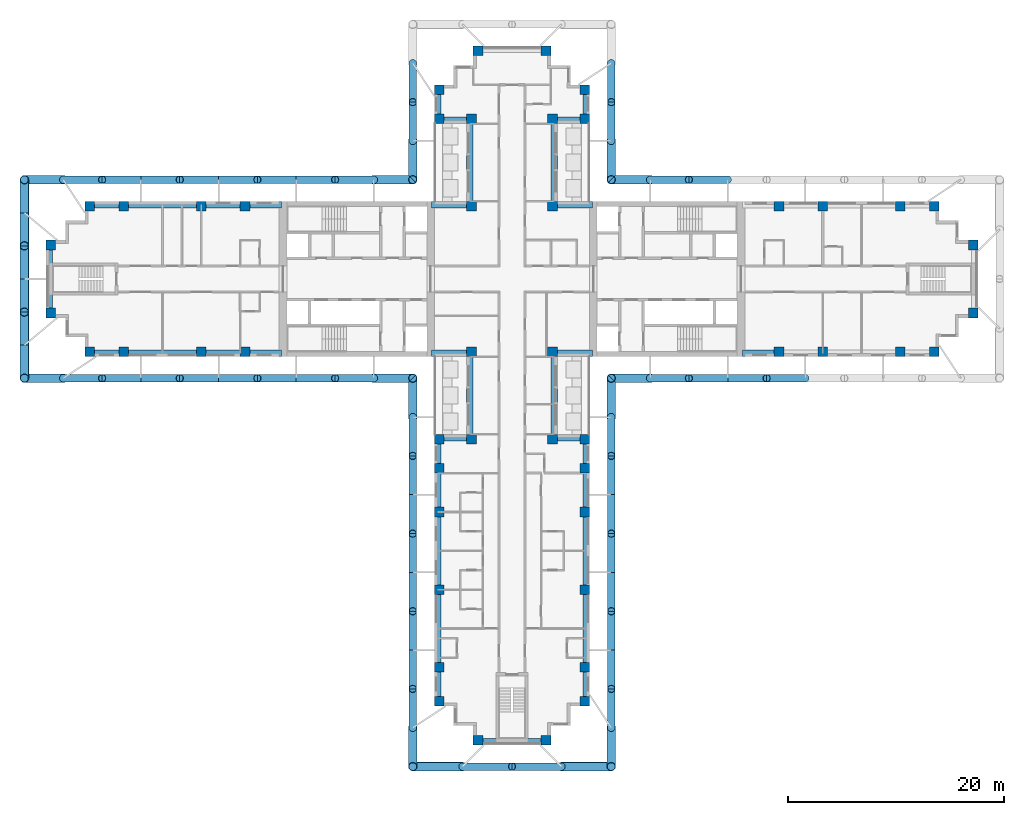
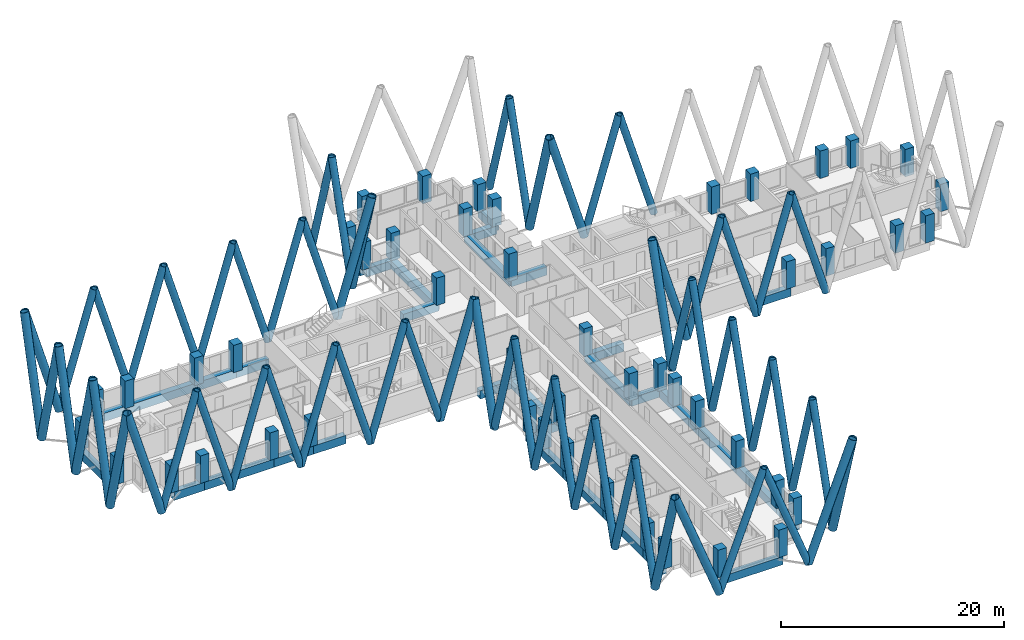
# One storey, part 1 of 14: 64 members, 48 columns, 35 beams.
"""IFC4 building model written with IfcOpenShell, lengths in metres."""

from ifc_helpers import new_model, si_unit, direction, frame, origin, origin_2d, place, context, subcontext, project, spatial, rectangle, hollow_circle, extrude, material, material_profile, profile_set, type_object, element, save


model = new_model("IFC4")

# Units and contexts
model_context = context("Model", 3, precision=1e-05, world=origin(), true_north=direction((0.0, 1.0)))
body_context = subcontext(model_context, "Body", "Model", "MODEL_VIEW")
ifc_project = project(units=[si_unit("LENGTHUNIT", "METRE"), si_unit("AREAUNIT", "SQUARE_METRE"), si_unit("VOLUMEUNIT", "CUBIC_METRE"), si_unit("PLANEANGLEUNIT", "RADIAN"), si_unit("MASSUNIT", "GRAM", prefix="KILO")], contexts=[model_context])

# Site, building, storey
site_placement = place(None, origin())
site = spatial("IfcSite", under=ifc_project, at=site_placement, CompositionType="ELEMENT")
building_placement = place(site_placement, origin())
building = spatial("IfcBuilding", under=site, at=building_placement, Name="Fustian Cross Tower", CompositionType="ELEMENT")
storey_placement = place(building_placement, frame((0.0, 0.0, 90.89990234375)))
storey = spatial("IfcBuildingStorey", under=building, at=storey_placement, Name="L28", CompositionType="ELEMENT", Elevation=90.89990234375)

# Columns
ifc_material_1 = material(Name="Concrete C60/75", Category="concrete")
ifc_material_profile_1 = material_profile(ifc_material_1, rectangle(XDim=0.89990234375, YDim=0.89990234375, at=origin_2d()), Name="RC 900x900")
ifc_profile_set_1 = profile_set([ifc_material_profile_1], Name="Concrete C60/75")
column_type = type_object("IfcColumnType", Name="COLUMN RC 900x900 C60/75", PredefinedType="COLUMN", material=ifc_profile_set_1)
for number, where, z_axis, x_axis, name in (
    (1, (-42.75, -3.14990234375, 0.0), (0.0, 0.0, 1.0), (1.0, 0.0, 0.0), "COLUMN 001"),
    (2, (-42.75, 3.14990234375, 0.0), (0.0, 0.0, 1.0), (1.0, 0.0, 0.0), "COLUMN 002"),
    (3, (-39.14990234375, -6.75, 0.0), (0.0, 0.0, 1.0), (1.0, 0.0, 0.0), "COLUMN 003"),
    (4, (-39.14990234375, 6.75, 0.0), (0.0, 0.0, 1.0), (1.0, 0.0, 0.0), "COLUMN 004"),
    (5, (-36.0, -6.75, 0.0), (0.0, 0.0, 1.0), (1.0, 0.0, 0.0), "COLUMN 005"),
    (6, (-36.0, 6.75, 0.0), (0.0, 0.0, 1.0), (1.0, 0.0, 0.0), "COLUMN 006"),
    (7, (-28.800048828125, -6.75, 0.0), (0.0, 0.0, 1.0), (1.0, 0.0, 0.0), "COLUMN 007"),
    (8, (-28.800048828125, 6.75, 0.0), (0.0, 0.0, 1.0), (1.0, 0.0, 0.0), "COLUMN 010"),
    (9, (-24.75, -6.75, 0.0), (0.0, 0.0, 1.0), (1.0, 0.0, 0.0), "COLUMN 011"),
    (10, (-24.75, 6.75, 0.0), (0.0, 0.0, 1.0), (1.0, 0.0, 0.0), "COLUMN 012"),
    (11, (-6.75, -39.14990234375, 0.0), (0.0, 0.0, 1.0), (1.0, 0.0, 0.0), "COLUMN 013"),
    (12, (-6.75, -36.0, 0.0), (0.0, 0.0, 1.0), (1.0, 0.0, 0.0), "COLUMN 014"),
    (13, (-6.75, -28.800048828125, 0.0), (0.0, 0.0, 1.0), (1.0, 0.0, 0.0), "COLUMN 015"),
    (14, (-6.75, -21.60009765625, 0.0), (0.0, 0.0, 1.0), (1.0, 0.0, 0.0), "COLUMN 016"),
    (15, (-6.75, -17.550048828125, 0.0), (0.0, 0.0, 1.0), (1.0, 0.0, 0.0), "COLUMN 017"),
    (16, (-6.75, -14.85009765625, 0.0), (0.0, 0.0, 1.0), (1.0, 0.0, 0.0), "COLUMN 018"),
    (17, (-6.75, 14.85009765625, 0.0), (0.0, 0.0, 1.0), (1.0, 0.0, 0.0), "COLUMN 019"),
    (18, (-6.75, 17.550048828125, 0.0), (0.0, 0.0, 1.0), (1.0, 0.0, 0.0), "COLUMN 020"),
    (19, (-3.75, -14.85009765625, 0.0), (0.0, 0.0, 1.0), (1.0, 0.0, 0.0), "COLUMN 025"),
    (20, (-3.75, -6.75, 0.0), (0.0, 0.0, 1.0), (1.0, 0.0, 0.0), "COLUMN 026"),
    (21, (-3.75, 6.75, 0.0), (0.0, 0.0, 1.0), (1.0, 0.0, 0.0), "COLUMN 027"),
    (22, (-3.75, 14.85009765625, 0.0), (0.0, 0.0, 1.0), (1.0, 0.0, 0.0), "COLUMN 028"),
    (23, (-3.14990234375, -42.75, 0.0), (0.0, 0.0, 1.0), (1.0, 0.0, 0.0), "COLUMN 029"),
    (24, (-3.14990234375, 21.14990234375, 0.0), (0.0, 0.0, 1.0), (1.0, 0.0, 0.0), "COLUMN 031"),
    (25, (3.14990234375, -42.75, 0.0), (0.0, 0.0, 1.0), (1.0, 0.0, 0.0), "COLUMN 033"),
    (26, (3.14990234375, 21.14990234375, 0.0), (0.0, 0.0, 1.0), (1.0, 0.0, 0.0), "COLUMN 035"),
    (27, (3.75, -14.85009765625, 0.0), (0.0, 0.0, 1.0), (1.0, 0.0, 0.0), "COLUMN 037"),
    (28, (3.75, -6.75, 0.0), (0.0, 0.0, 1.0), (1.0, 0.0, 0.0), "COLUMN 038"),
    (29, (3.75, 6.75, 0.0), (0.0, 0.0, 1.0), (1.0, 0.0, 0.0), "COLUMN 039"),
    (30, (3.75, 14.85009765625, 0.0), (0.0, 0.0, 1.0), (1.0, 0.0, 0.0), "COLUMN 040"),
    (31, (6.75, -39.14990234375, 0.0), (0.0, 0.0, 1.0), (1.0, 0.0, 0.0), "COLUMN 041"),
    (32, (6.75, -36.0, 0.0), (0.0, 0.0, 1.0), (1.0, 0.0, 0.0), "COLUMN 042"),
    (33, (6.75, -28.800048828125, 0.0), (0.0, 0.0, 1.0), (1.0, 0.0, 0.0), "COLUMN 043"),
    (34, (6.75, -21.60009765625, 0.0), (0.0, 0.0, 1.0), (1.0, 0.0, 0.0), "COLUMN 044"),
    (35, (6.75, -17.550048828125, 0.0), (0.0, 0.0, 1.0), (1.0, 0.0, 0.0), "COLUMN 045"),
    (36, (6.75, -14.85009765625, 0.0), (0.0, 0.0, 1.0), (1.0, 0.0, 0.0), "COLUMN 046"),
    (37, (6.75, 14.85009765625, 0.0), (0.0, 0.0, 1.0), (1.0, 0.0, 0.0), "COLUMN 047"),
    (38, (6.75, 17.550048828125, 0.0), (0.0, 0.0, 1.0), (1.0, 0.0, 0.0), "COLUMN 048"),
    (39, (24.75, -6.75, 0.0), (0.0, 0.0, 1.0), (1.0, 0.0, 0.0), "COLUMN 053"),
    (40, (24.75, 6.75, 0.0), (0.0, 0.0, 1.0), (1.0, 0.0, 0.0), "COLUMN 054"),
    (41, (28.800048828125, -6.75, 0.0), (0.0, 0.0, 1.0), (1.0, 0.0, 0.0), "COLUMN 055"),
    (42, (28.800048828125, 6.75, 0.0), (0.0, 0.0, 1.0), (1.0, 0.0, 0.0), "COLUMN 058"),
    (43, (36.0, -6.75, 0.0), (0.0, 0.0, 1.0), (1.0, 0.0, 0.0), "COLUMN 059"),
    (44, (36.0, 6.75, 0.0), (0.0, 0.0, 1.0), (1.0, 0.0, 0.0), "COLUMN 060"),
    (45, (39.14990234375, -6.75, 0.0), (0.0, 0.0, 1.0), (1.0, 0.0, 0.0), "COLUMN 061"),
    (46, (39.14990234375, 6.75, 0.0), (0.0, 0.0, 1.0), (1.0, 0.0, 0.0), "COLUMN 062"),
    (47, (42.75, -3.14990234375, 0.0), (0.0, 0.0, 1.0), (1.0, 0.0, 0.0), "COLUMN 063"),
    (48, (42.75, 3.14990234375, 0.0), (0.0, 0.0, 1.0), (1.0, 0.0, 0.0), "COLUMN 064"),
):
    element("IfcColumn", number, at=place(storey_placement, frame(where, z_axis=z_axis, x_axis=x_axis)), inside=storey, type_object=column_type, Name=name, PredefinedType="COLUMN", context=body_context, shape_type="SweptSolid", body=[
        extrude(rectangle(XDim=0.89990234375, YDim=0.89990234375, at=origin_2d()), origin(), (0.0, 0.0, 1.0), 3.0),
    ])

# Members
ifc_material_2 = material(Name="Steel S355", Category="steel")
ifc_material_profile_2 = material_profile(ifc_material_2, hollow_circle(Radius=0.355712890625, WallThickness=0.031982421875, at=origin_2d()), Name="CHS 711x32")
ifc_profile_set_2 = profile_set([ifc_material_profile_2], Name="Steel S355")
member_type_1 = type_object("IfcMemberType", Name="DIAGRID DIAGONAL CHS 711x32", PredefinedType="BRACE", material=ifc_profile_set_2)
for number, where, z_axis, x_axis, name in (
    (49, (12.800048828125, -9.199951171875, 0.0), (0.287337158709, 0.0, 0.957829503213), (0.0, 1.0, 0.0), "Diagrid diagonal E-S 02"),
    (50, (20.0, -9.199951171875, 0.0), (-0.287355036744, 0.0, 0.957824139839), (0.0, -1.0, 0.0), "Diagrid diagonal E-S 03"),
    (51, (20.0, -9.199951171875, 0.0), (0.287355036744, 0.0, 0.957824139839), (0.0, 1.0, 0.0), "Diagrid diagonal E-S 04"),
    (52, (27.199951171875, -9.199951171875, 0.0), (-0.287337158709, 0.0, 0.957829503213), (0.0, -1.0, 0.0), "Diagrid diagonal E-S 05"),
    (53, (20.0, 9.199951171875, 0.0), (-0.287355036744, 0.0, 0.957824139839), (0.0, -1.0, 0.0), "Diagrid diagonal E-N 08"),
    (54, (12.800048828125, 9.199951171875, 0.0), (0.287337158709, 0.0, 0.957829503213), (0.0, 1.0, 0.0), "Diagrid diagonal E-N 09"),
    (55, (9.199951171875, 12.800048828125, 0.0), (0.0, 0.287337158709, 0.957829503213), (-1.0, 0.0, 0.0), "Diagrid diagonal N-E 02"),
    (56, (9.199951171875, 20.0, 0.0), (0.0, -0.287355036744, 0.957824139839), (1.0, 0.0, 0.0), "Diagrid diagonal N-E 03"),
    (57, (-9.199951171875, 20.0, 0.0), (0.0, -0.287355036744, 0.957824139839), (1.0, 0.0, 0.0), "Diagrid diagonal N-W 02"),
    (58, (-9.199951171875, 12.800048828125, 0.0), (0.0, 0.287337158709, 0.957829503213), (-1.0, 0.0, 0.0), "Diagrid diagonal N-W 03"),
    (59, (-12.800048828125, 9.199951171875, 0.0), (-0.287337158709, 0.0, 0.957829503213), (0.0, -1.0, 0.0), "Diagrid diagonal W-N 02"),
    (60, (-20.0, 9.199951171875, 0.0), (0.287355036744, 0.0, 0.957824139839), (0.0, 1.0, 0.0), "Diagrid diagonal W-N 03"),
    (61, (-20.0, 9.199951171875, 0.0), (-0.287355036744, 0.0, 0.957824139839), (0.0, -1.0, 0.0), "Diagrid diagonal W-N 04"),
    (62, (-27.199951171875, 9.199951171875, 0.0), (0.287337158709, 0.0, 0.957829503213), (0.0, 1.0, 0.0), "Diagrid diagonal W-N 05"),
    (63, (-27.199951171875, 9.199951171875, 0.0), (-0.287355036744, 0.0, 0.957824139839), (0.0, -1.0, 0.0), "Diagrid diagonal W-N 06"),
    (64, (-34.39990234375, 9.199951171875, 0.0), (0.287337158709, 0.0, 0.957829503213), (0.0, 1.0, 0.0), "Diagrid diagonal W-N 07"),
    (65, (-34.39990234375, 9.199951171875, 0.0), (-0.287355036744, 0.0, 0.957824139839), (0.0, -1.0, 0.0), "Diagrid diagonal W-N 08"),
    (66, (-41.60009765625, 9.199951171875, 0.0), (0.287355036744, 0.0, 0.957824139839), (0.0, 1.0, 0.0), "Diagrid diagonal W-N 09"),
    (67, (-41.60009765625, -9.199951171875, 0.0), (0.287355036744, 0.0, 0.957824139839), (0.0, 1.0, 0.0), "Diagrid diagonal W-S 02"),
    (68, (-34.39990234375, -9.199951171875, 0.0), (-0.287355036744, 0.0, 0.957824139839), (0.0, -1.0, 0.0), "Diagrid diagonal W-S 03"),
    (69, (-34.39990234375, -9.199951171875, 0.0), (0.287337158709, 0.0, 0.957829503213), (0.0, 1.0, 0.0), "Diagrid diagonal W-S 04"),
    (70, (-27.199951171875, -9.199951171875, 0.0), (-0.287355036744, 0.0, 0.957824139839), (0.0, -1.0, 0.0), "Diagrid diagonal W-S 05"),
    (71, (-27.199951171875, -9.199951171875, 0.0), (0.287337158709, 0.0, 0.957829503213), (0.0, 1.0, 0.0), "Diagrid diagonal W-S 06"),
    (72, (-20.0, -9.199951171875, 0.0), (-0.287355036744, 0.0, 0.957824139839), (0.0, -1.0, 0.0), "Diagrid diagonal W-S 07"),
    (73, (-20.0, -9.199951171875, 0.0), (0.287355036744, 0.0, 0.957824139839), (0.0, 1.0, 0.0), "Diagrid diagonal W-S 08"),
    (74, (-12.800048828125, -9.199951171875, 0.0), (-0.287337158709, 0.0, 0.957829503213), (0.0, -1.0, 0.0), "Diagrid diagonal W-S 09"),
    (75, (-9.199951171875, -12.800048828125, 0.0), (0.0, -0.287337158709, 0.957829503213), (1.0, 0.0, 0.0), "Diagrid diagonal S-W 02"),
    (76, (-9.199951171875, -20.0, 0.0), (0.0, 0.287355036744, 0.957824139839), (-1.0, 0.0, 0.0), "Diagrid diagonal S-W 03"),
    (77, (-9.199951171875, -20.0, 0.0), (0.0, -0.287355036744, 0.957824139839), (1.0, 0.0, 0.0), "Diagrid diagonal S-W 04"),
    (78, (-9.199951171875, -27.199951171875, 0.0), (0.0, 0.287337158709, 0.957829503213), (-1.0, 0.0, 0.0), "Diagrid diagonal S-W 05"),
    (79, (-9.199951171875, -27.199951171875, 0.0), (0.0, -0.287355036744, 0.957824139839), (1.0, 0.0, 0.0), "Diagrid diagonal S-W 06"),
    (80, (-9.199951171875, -34.39990234375, 0.0), (0.0, 0.287337158709, 0.957829503213), (-1.0, 0.0, 0.0), "Diagrid diagonal S-W 07"),
    (81, (-9.199951171875, -34.39990234375, 0.0), (0.0, -0.287355036744, 0.957824139839), (1.0, 0.0, 0.0), "Diagrid diagonal S-W 08"),
    (82, (-9.199951171875, -41.60009765625, 0.0), (0.0, 0.287355036744, 0.957824139839), (-1.0, 0.0, 0.0), "Diagrid diagonal S-W 09"),
):
    element("IfcMember", number, at=place(storey_placement, frame(where, z_axis=z_axis, x_axis=x_axis)), inside=storey, type_object=member_type_1, Name=name, PredefinedType="BRACE", context=body_context, shape_type="SweptSolid", body=[
        extrude(hollow_circle(Radius=0.355712890625, WallThickness=0.031982421875, at=origin_2d()), origin(), (0.0, 0.0, 1.0), 12.5283203125),
    ])
for number, where, z_axis, x_axis, name in (
    (83, (-4.60009765625, -45.199951171875, 0.0), (0.3579426369, 0.0, 0.933743577589), (0.0, 1.0, 0.0), "Diagrid diagonal S-end 02"),
    (84, (4.60009765625, -45.199951171875, 0.0), (-0.3579426369, 0.0, 0.933743577589), (0.0, -1.0, 0.0), "Diagrid diagonal S-end 03"),
):
    element("IfcMember", number, at=place(storey_placement, frame(where, z_axis=z_axis, x_axis=x_axis)), inside=storey, type_object=member_type_1, Name=name, PredefinedType="BRACE", context=body_context, shape_type="SweptSolid", body=[
        extrude(hollow_circle(Radius=0.355712890625, WallThickness=0.031982421875, at=origin_2d()), origin(), (0.0, 0.0, 1.0), 12.8515625),
    ])
for number, where, z_axis, x_axis, name in (
    (85, (9.199951171875, -41.60009765625, 0.0), (0.0, 0.287355036744, 0.957824139839), (-1.0, 0.0, 0.0), "Diagrid diagonal S-E 02"),
    (86, (9.199951171875, -34.39990234375, 0.0), (0.0, -0.287355036744, 0.957824139839), (1.0, 0.0, 0.0), "Diagrid diagonal S-E 03"),
    (87, (9.199951171875, -34.39990234375, 0.0), (0.0, 0.287337158709, 0.957829503213), (-1.0, 0.0, 0.0), "Diagrid diagonal S-E 04"),
    (88, (9.199951171875, -27.199951171875, 0.0), (0.0, -0.287355036744, 0.957824139839), (1.0, 0.0, 0.0), "Diagrid diagonal S-E 05"),
    (89, (9.199951171875, -27.199951171875, 0.0), (0.0, 0.287337158709, 0.957829503213), (-1.0, 0.0, 0.0), "Diagrid diagonal S-E 06"),
    (90, (9.199951171875, -20.0, 0.0), (0.0, -0.287355036744, 0.957824139839), (1.0, 0.0, 0.0), "Diagrid diagonal S-E 07"),
    (91, (9.199951171875, -20.0, 0.0), (0.0, 0.287355036744, 0.957824139839), (-1.0, 0.0, 0.0), "Diagrid diagonal S-E 08"),
    (92, (9.199951171875, -12.800048828125, 0.0), (0.0, -0.287337158709, 0.957829503213), (1.0, 0.0, 0.0), "Diagrid diagonal S-E 09"),
):
    element("IfcMember", number, at=place(storey_placement, frame(where, z_axis=z_axis, x_axis=x_axis)), inside=storey, type_object=member_type_1, Name=name, PredefinedType="BRACE", context=body_context, shape_type="SweptSolid", body=[
        extrude(hollow_circle(Radius=0.355712890625, WallThickness=0.031982421875, at=origin_2d()), origin(), (0.0, 0.0, 1.0), 12.5283203125),
    ])
ifc_material_3 = material(Name="Steel S355", Category="steel")
ifc_material_profile_3 = material_profile(ifc_material_3, hollow_circle(Radius=0.406494140625, WallThickness=0.0400390625, at=origin_2d()), Name="CHS 813x40")
ifc_profile_set_3 = profile_set([ifc_material_profile_3], Name="Steel S355")
member_type_2 = type_object("IfcMemberType", Name="DIAGRID DIAGONAL CHS 813x40", PredefinedType="BRACE", material=ifc_profile_set_3)
for number, where, z_axis, x_axis, name in (
    (93, (12.800048828125, -9.199951171875, 0.0), (-0.287355036744, 0.0, 0.957824139839), (0.0, -1.0, 0.0), "Diagrid diagonal E-S 01"),
    (94, (12.800048828125, 9.199951171875, 0.0), (-0.287355036744, 0.0, 0.957824139839), (0.0, -1.0, 0.0), "Diagrid diagonal E-N 10"),
    (95, (9.199951171875, 12.800048828125, 0.0), (0.0, -0.287355036744, 0.957824139839), (1.0, 0.0, 0.0), "Diagrid diagonal N-E 01"),
    (96, (-9.199951171875, 12.800048828125, 0.0), (0.0, -0.287355036744, 0.957824139839), (1.0, 0.0, 0.0), "Diagrid diagonal N-W 04"),
    (97, (-12.800048828125, 9.199951171875, 0.0), (0.287355036744, 0.0, 0.957824139839), (0.0, 1.0, 0.0), "Diagrid diagonal W-N 01"),
    (98, (-41.60009765625, 9.199951171875, 0.0), (-0.287337158709, 0.0, 0.957829503213), (0.0, -1.0, 0.0), "Diagrid diagonal W-N 10"),
):
    element("IfcMember", number, at=place(storey_placement, frame(where, z_axis=z_axis, x_axis=x_axis)), inside=storey, type_object=member_type_2, Name=name, PredefinedType="BRACE", context=body_context, shape_type="SweptSolid", body=[
        extrude(hollow_circle(Radius=0.406494140625, WallThickness=0.0400390625, at=origin_2d()), origin(), (0.0, 0.0, 1.0), 12.5283203125),
    ])
for number, where, z_axis, x_axis, name in (
    (99, (-45.199951171875, 6.13330078125, 0.0), (0.0, 0.247597033967, 0.96886310115), (-1.0, 0.0, 0.0), "Diagrid diagonal W-end 01"),
    (100, (-45.199951171875, 6.13330078125, 0.0), (0.0, -0.247597033967, 0.96886310115), (1.0, 0.0, 0.0), "Diagrid diagonal W-end 02"),
    (101, (-45.199951171875, 0.0, 0.0), (0.0, 0.247597033967, 0.96886310115), (-1.0, 0.0, 0.0), "Diagrid diagonal W-end 03"),
    (102, (-45.199951171875, 0.0, 0.0), (0.0, -0.247597033967, 0.96886310115), (1.0, 0.0, 0.0), "Diagrid diagonal W-end 04"),
    (103, (-45.199951171875, -6.13330078125, 0.0), (0.0, 0.247597033967, 0.96886310115), (-1.0, 0.0, 0.0), "Diagrid diagonal W-end 05"),
    (104, (-45.199951171875, -6.13330078125, 0.0), (0.0, -0.247597033967, 0.96886310115), (1.0, 0.0, 0.0), "Diagrid diagonal W-end 06"),
):
    element("IfcMember", number, at=place(storey_placement, frame(where, z_axis=z_axis, x_axis=x_axis)), inside=storey, type_object=member_type_2, Name=name, PredefinedType="BRACE", context=body_context, shape_type="SweptSolid", body=[
        extrude(hollow_circle(Radius=0.406494140625, WallThickness=0.0400390625, at=origin_2d()), origin(), (0.0, 0.0, 1.0), 12.3857421875),
    ])
for number, where, z_axis, x_axis, name in (
    (105, (-41.60009765625, -9.199951171875, 0.0), (-0.287337158709, 0.0, 0.957829503213), (0.0, -1.0, 0.0), "Diagrid diagonal W-S 01"),
    (106, (-12.800048828125, -9.199951171875, 0.0), (0.287355036744, 0.0, 0.957824139839), (0.0, 1.0, 0.0), "Diagrid diagonal W-S 10"),
    (107, (-9.199951171875, -12.800048828125, 0.0), (0.0, 0.287355036744, 0.957824139839), (-1.0, 0.0, 0.0), "Diagrid diagonal S-W 01"),
    (108, (-9.199951171875, -41.60009765625, 0.0), (0.0, -0.287337158709, 0.957829503213), (1.0, 0.0, 0.0), "Diagrid diagonal S-W 10"),
):
    element("IfcMember", number, at=place(storey_placement, frame(where, z_axis=z_axis, x_axis=x_axis)), inside=storey, type_object=member_type_2, Name=name, PredefinedType="BRACE", context=body_context, shape_type="SweptSolid", body=[
        extrude(hollow_circle(Radius=0.406494140625, WallThickness=0.0400390625, at=origin_2d()), origin(), (0.0, 0.0, 1.0), 12.5283203125),
    ])
for number, where, z_axis, x_axis, name in (
    (109, (-4.60009765625, -45.199951171875, 0.0), (-0.357926073629, 0.0, 0.933749926809), (0.0, -1.0, 0.0), "Diagrid diagonal S-end 01"),
    (110, (4.60009765625, -45.199951171875, 0.0), (0.357926073629, 0.0, 0.933749926809), (0.0, 1.0, 0.0), "Diagrid diagonal S-end 04"),
):
    element("IfcMember", number, at=place(storey_placement, frame(where, z_axis=z_axis, x_axis=x_axis)), inside=storey, type_object=member_type_2, Name=name, PredefinedType="BRACE", context=body_context, shape_type="SweptSolid", body=[
        extrude(hollow_circle(Radius=0.406494140625, WallThickness=0.0400390625, at=origin_2d()), origin(), (0.0, 0.0, 1.0), 12.851318359375),
    ])
for number, where, z_axis, x_axis, name in (
    (111, (9.199951171875, -41.60009765625, 0.0), (0.0, -0.287337158709, 0.957829503213), (1.0, 0.0, 0.0), "Diagrid diagonal S-E 01"),
    (112, (9.199951171875, -12.800048828125, 0.0), (0.0, 0.287355036744, 0.957824139839), (-1.0, 0.0, 0.0), "Diagrid diagonal S-E 10"),
):
    element("IfcMember", number, at=place(storey_placement, frame(where, z_axis=z_axis, x_axis=x_axis)), inside=storey, type_object=member_type_2, Name=name, PredefinedType="BRACE", context=body_context, shape_type="SweptSolid", body=[
        extrude(hollow_circle(Radius=0.406494140625, WallThickness=0.0400390625, at=origin_2d()), origin(), (0.0, 0.0, 1.0), 12.5283203125),
    ])

# Beams
ifc_material_4 = material(Name="Concrete C50/60", Category="concrete")
ifc_material_profile_4 = material_profile(ifc_material_4, rectangle(XDim=0.60009765625, YDim=0.89990234375, at=origin_2d()), Name="RC 600x900")
ifc_profile_set_4 = profile_set([ifc_material_profile_4], Name="Concrete C50/60")
beam_type = type_object("IfcBeamType", Name="EDGE BEAM RC 600x900 C50/60", PredefinedType="SPANDREL", material=ifc_profile_set_4)
beam_1_placement = place(storey_placement, frame((21.35009765625, -6.89990234375, -0.449951171875), z_axis=(1.0, 0.0, 0.0), x_axis=(0.0, 1.0, 0.0)))
element("IfcBeam", 113, at=beam_1_placement, inside=storey, type_object=beam_type, Name="EDGE BEAM L28-01", PredefinedType="SPANDREL", context=body_context, shape_type="SweptSolid", body=[
    extrude(rectangle(XDim=0.60009765625, YDim=0.89990234375, at=origin_2d()), origin(), (0.0, 0.0, 1.0), 3.39990234375),
])
beam_2_placement = place(storey_placement, frame((7.449951171875, 6.89990234375, -0.449951171875), z_axis=(-1.0, 0.0, 0.0), x_axis=(0.0, -1.0, 0.0)))
element("IfcBeam", 114, at=beam_2_placement, inside=storey, type_object=beam_type, Name="EDGE BEAM L28-10", PredefinedType="SPANDREL", context=body_context, shape_type="SweptSolid", body=[
    extrude(rectangle(XDim=0.60009765625, YDim=0.89990234375, at=origin_2d()), origin(), (0.0, 0.0, 1.0), 3.699951171875),
])
beam_3_placement = place(storey_placement, frame((3.89990234375, 6.75, -0.449951171875), z_axis=(0.0, 1.0, 0.0), x_axis=(-1.0, 0.0, 0.0)))
element("IfcBeam", 115, at=beam_3_placement, inside=storey, type_object=beam_type, Name="EDGE BEAM L28-11", PredefinedType="SPANDREL", context=body_context, shape_type="SweptSolid", body=[
    extrude(rectangle(XDim=0.60009765625, YDim=0.89990234375, at=origin_2d()), origin(), (0.0, 0.0, 1.0), 8.10009765625),
])
beam_4_placement = place(storey_placement, frame((3.75, 14.699951171875, -0.449951171875), z_axis=(1.0, 0.0, 0.0), x_axis=(0.0, 1.0, 0.0)))
element("IfcBeam", 116, at=beam_4_placement, inside=storey, type_object=beam_type, Name="EDGE BEAM L28-12", PredefinedType="SPANDREL", context=body_context, shape_type="SweptSolid", body=[
    extrude(rectangle(XDim=0.60009765625, YDim=0.89990234375, at=origin_2d()), origin(), (0.0, 0.0, 1.0), 3.0),
])
for number, where, z_axis, x_axis, name in (
    (117, (6.89990234375, 14.85009765625, -0.449951171875), (0.0, 1.0, 0.0), (-1.0, 0.0, 0.0), "EDGE BEAM L28-13"),
    (118, (-6.89990234375, 17.550048828125, -0.449951171875), (0.0, -1.0, 0.0), (1.0, 0.0, 0.0), "EDGE BEAM L28-15"),
):
    element("IfcBeam", number, at=place(storey_placement, frame(where, z_axis=z_axis, x_axis=x_axis)), inside=storey, type_object=beam_type, Name=name, PredefinedType="SPANDREL", context=body_context, shape_type="SweptSolid", body=[
        extrude(rectangle(XDim=0.60009765625, YDim=0.89990234375, at=origin_2d()), origin(), (0.0, 0.0, 1.0), 2.699951171875),
    ])
beam_5_placement = place(storey_placement, frame((-6.75, 14.699951171875, -0.449951171875), z_axis=(1.0, 0.0, 0.0), x_axis=(0.0, 1.0, 0.0)))
element("IfcBeam", 119, at=beam_5_placement, inside=storey, type_object=beam_type, Name="EDGE BEAM L28-16", PredefinedType="SPANDREL", context=body_context, shape_type="SweptSolid", body=[
    extrude(rectangle(XDim=0.60009765625, YDim=0.89990234375, at=origin_2d()), origin(), (0.0, 0.0, 1.0), 3.0),
])
beam_6_placement = place(storey_placement, frame((-3.89990234375, 14.85009765625, -0.449951171875), z_axis=(0.0, -1.0, 0.0), x_axis=(1.0, 0.0, 0.0)))
element("IfcBeam", 120, at=beam_6_placement, inside=storey, type_object=beam_type, Name="EDGE BEAM L28-17", PredefinedType="SPANDREL", context=body_context, shape_type="SweptSolid", body=[
    extrude(rectangle(XDim=0.60009765625, YDim=0.89990234375, at=origin_2d()), origin(), (0.0, 0.0, 1.0), 8.10009765625),
])
beam_7_placement = place(storey_placement, frame((-3.75, 6.89990234375, -0.449951171875), z_axis=(-1.0, 0.0, 0.0), x_axis=(0.0, -1.0, 0.0)))
element("IfcBeam", 121, at=beam_7_placement, inside=storey, type_object=beam_type, Name="EDGE BEAM L28-18", PredefinedType="SPANDREL", context=body_context, shape_type="SweptSolid", body=[
    extrude(rectangle(XDim=0.60009765625, YDim=0.89990234375, at=origin_2d()), origin(), (0.0, 0.0, 1.0), 3.699951171875),
])
beam_8_placement = place(storey_placement, frame((-21.35009765625, 6.89990234375, -0.449951171875), z_axis=(-1.0, 0.0, 0.0), x_axis=(0.0, -1.0, 0.0)))
element("IfcBeam", 122, at=beam_8_placement, inside=storey, type_object=beam_type, Name="EDGE BEAM L28-19", PredefinedType="SPANDREL", context=body_context, shape_type="SweptSolid", body=[
    extrude(rectangle(XDim=0.60009765625, YDim=0.89990234375, at=origin_2d()), origin(), (0.0, 0.0, 1.0), 3.39990234375),
])
beam_9_placement = place(storey_placement, frame((-24.75, 6.89990234375, -0.449951171875), z_axis=(-1.0, 0.0, 0.0), x_axis=(0.0, -1.0, 0.0)))
element("IfcBeam", 123, at=beam_9_placement, inside=storey, type_object=beam_type, Name="EDGE BEAM L28-20", PredefinedType="SPANDREL", context=body_context, shape_type="SweptSolid", body=[
    extrude(rectangle(XDim=0.60009765625, YDim=0.89990234375, at=origin_2d()), origin(), (0.0, 0.0, 1.0), 4.050048828125),
])
beam_10_placement = place(storey_placement, frame((-28.800048828125, 6.89990234375, -0.449951171875), z_axis=(-1.0, 0.0, 0.0), x_axis=(0.0, -1.0, 0.0)))
element("IfcBeam", 124, at=beam_10_placement, inside=storey, type_object=beam_type, Name="EDGE BEAM L28-21", PredefinedType="SPANDREL", context=body_context, shape_type="SweptSolid", body=[
    extrude(rectangle(XDim=0.60009765625, YDim=0.89990234375, at=origin_2d()), origin(), (0.0, 0.0, 1.0), 7.199951171875),
])
beam_11_placement = place(storey_placement, frame((-36.0, 6.89990234375, -0.449951171875), z_axis=(-1.0, 0.0, 0.0), x_axis=(0.0, -1.0, 0.0)))
element("IfcBeam", 125, at=beam_11_placement, inside=storey, type_object=beam_type, Name="EDGE BEAM L28-22", PredefinedType="SPANDREL", context=body_context, shape_type="SweptSolid", body=[
    extrude(rectangle(XDim=0.60009765625, YDim=0.89990234375, at=origin_2d()), origin(), (0.0, 0.0, 1.0), 3.14990234375),
])
beam_12_placement = place(storey_placement, frame((-42.89990234375, 3.14990234375, -0.449951171875), z_axis=(0.0, -1.0, 0.0), x_axis=(1.0, 0.0, 0.0)))
element("IfcBeam", 126, at=beam_12_placement, inside=storey, type_object=beam_type, Name="EDGE BEAM L28-23", PredefinedType="SPANDREL", context=body_context, shape_type="SweptSolid", body=[
    extrude(rectangle(XDim=0.60009765625, YDim=0.89990234375, at=origin_2d()), origin(), (0.0, 0.0, 1.0), 6.2998046875),
])
beam_13_placement = place(storey_placement, frame((-39.14990234375, -6.89990234375, -0.449951171875), z_axis=(1.0, 0.0, 0.0), x_axis=(0.0, 1.0, 0.0)))
element("IfcBeam", 127, at=beam_13_placement, inside=storey, type_object=beam_type, Name="EDGE BEAM L28-24", PredefinedType="SPANDREL", context=body_context, shape_type="SweptSolid", body=[
    extrude(rectangle(XDim=0.60009765625, YDim=0.89990234375, at=origin_2d()), origin(), (0.0, 0.0, 1.0), 3.14990234375),
])
beam_14_placement = place(storey_placement, frame((-36.0, -6.89990234375, -0.449951171875), z_axis=(1.0, 0.0, 0.0), x_axis=(0.0, 1.0, 0.0)))
element("IfcBeam", 128, at=beam_14_placement, inside=storey, type_object=beam_type, Name="EDGE BEAM L28-25", PredefinedType="SPANDREL", context=body_context, shape_type="SweptSolid", body=[
    extrude(rectangle(XDim=0.60009765625, YDim=0.89990234375, at=origin_2d()), origin(), (0.0, 0.0, 1.0), 7.199951171875),
])
beam_15_placement = place(storey_placement, frame((-28.800048828125, -6.89990234375, -0.449951171875), z_axis=(1.0, 0.0, 0.0), x_axis=(0.0, 1.0, 0.0)))
element("IfcBeam", 129, at=beam_15_placement, inside=storey, type_object=beam_type, Name="EDGE BEAM L28-26", PredefinedType="SPANDREL", context=body_context, shape_type="SweptSolid", body=[
    extrude(rectangle(XDim=0.60009765625, YDim=0.89990234375, at=origin_2d()), origin(), (0.0, 0.0, 1.0), 4.050048828125),
])
beam_16_placement = place(storey_placement, frame((-24.75, -6.89990234375, -0.449951171875), z_axis=(1.0, 0.0, 0.0), x_axis=(0.0, 1.0, 0.0)))
element("IfcBeam", 130, at=beam_16_placement, inside=storey, type_object=beam_type, Name="EDGE BEAM L28-27", PredefinedType="SPANDREL", context=body_context, shape_type="SweptSolid", body=[
    extrude(rectangle(XDim=0.60009765625, YDim=0.89990234375, at=origin_2d()), origin(), (0.0, 0.0, 1.0), 3.39990234375),
])
beam_17_placement = place(storey_placement, frame((-7.449951171875, -6.89990234375, -0.449951171875), z_axis=(1.0, 0.0, 0.0), x_axis=(0.0, 1.0, 0.0)))
element("IfcBeam", 131, at=beam_17_placement, inside=storey, type_object=beam_type, Name="EDGE BEAM L28-28", PredefinedType="SPANDREL", context=body_context, shape_type="SweptSolid", body=[
    extrude(rectangle(XDim=0.60009765625, YDim=0.89990234375, at=origin_2d()), origin(), (0.0, 0.0, 1.0), 3.699951171875),
])
beam_18_placement = place(storey_placement, frame((-3.89990234375, -6.75, -0.449951171875), z_axis=(0.0, -1.0, 0.0), x_axis=(1.0, 0.0, 0.0)))
element("IfcBeam", 132, at=beam_18_placement, inside=storey, type_object=beam_type, Name="EDGE BEAM L28-29", PredefinedType="SPANDREL", context=body_context, shape_type="SweptSolid", body=[
    extrude(rectangle(XDim=0.60009765625, YDim=0.89990234375, at=origin_2d()), origin(), (0.0, 0.0, 1.0), 8.10009765625),
])
beam_19_placement = place(storey_placement, frame((-3.75, -14.699951171875, -0.449951171875), z_axis=(-1.0, 0.0, 0.0), x_axis=(0.0, -1.0, 0.0)))
element("IfcBeam", 133, at=beam_19_placement, inside=storey, type_object=beam_type, Name="EDGE BEAM L28-30", PredefinedType="SPANDREL", context=body_context, shape_type="SweptSolid", body=[
    extrude(rectangle(XDim=0.60009765625, YDim=0.89990234375, at=origin_2d()), origin(), (0.0, 0.0, 1.0), 3.0),
])
beam_20_placement = place(storey_placement, frame((-6.89990234375, -14.85009765625, -0.449951171875), z_axis=(0.0, -1.0, 0.0), x_axis=(1.0, 0.0, 0.0)))
element("IfcBeam", 134, at=beam_20_placement, inside=storey, type_object=beam_type, Name="EDGE BEAM L28-31", PredefinedType="SPANDREL", context=body_context, shape_type="SweptSolid", body=[
    extrude(rectangle(XDim=0.60009765625, YDim=0.89990234375, at=origin_2d()), origin(), (0.0, 0.0, 1.0), 2.699951171875),
])
beam_21_placement = place(storey_placement, frame((-6.89990234375, -17.550048828125, -0.449951171875), z_axis=(0.0, -1.0, 0.0), x_axis=(1.0, 0.0, 0.0)))
element("IfcBeam", 135, at=beam_21_placement, inside=storey, type_object=beam_type, Name="EDGE BEAM L28-32", PredefinedType="SPANDREL", context=body_context, shape_type="SweptSolid", body=[
    extrude(rectangle(XDim=0.60009765625, YDim=0.89990234375, at=origin_2d()), origin(), (0.0, 0.0, 1.0), 4.050048828125),
])
for number, where, z_axis, x_axis, name in (
    (136, (-6.89990234375, -21.60009765625, -0.449951171875), (0.0, -1.0, 0.0), (1.0, 0.0, 0.0), "EDGE BEAM L28-33"),
    (137, (-6.89990234375, -28.800048828125, -0.449951171875), (0.0, -1.0, 0.0), (1.0, 0.0, 0.0), "EDGE BEAM L28-34"),
):
    element("IfcBeam", number, at=place(storey_placement, frame(where, z_axis=z_axis, x_axis=x_axis)), inside=storey, type_object=beam_type, Name=name, PredefinedType="SPANDREL", context=body_context, shape_type="SweptSolid", body=[
        extrude(rectangle(XDim=0.60009765625, YDim=0.89990234375, at=origin_2d()), origin(), (0.0, 0.0, 1.0), 7.199951171875),
    ])
beam_22_placement = place(storey_placement, frame((-6.89990234375, -36.0, -0.449951171875), z_axis=(0.0, -1.0, 0.0), x_axis=(1.0, 0.0, 0.0)))
element("IfcBeam", 138, at=beam_22_placement, inside=storey, type_object=beam_type, Name="EDGE BEAM L28-35", PredefinedType="SPANDREL", context=body_context, shape_type="SweptSolid", body=[
    extrude(rectangle(XDim=0.60009765625, YDim=0.89990234375, at=origin_2d()), origin(), (0.0, 0.0, 1.0), 3.14990234375),
])
beam_23_placement = place(storey_placement, frame((-3.14990234375, -42.89990234375, -0.449951171875), z_axis=(1.0, 0.0, 0.0), x_axis=(0.0, 1.0, 0.0)))
element("IfcBeam", 139, at=beam_23_placement, inside=storey, type_object=beam_type, Name="EDGE BEAM L28-36", PredefinedType="SPANDREL", context=body_context, shape_type="SweptSolid", body=[
    extrude(rectangle(XDim=0.60009765625, YDim=0.89990234375, at=origin_2d()), origin(), (0.0, 0.0, 1.0), 6.2998046875),
])
beam_24_placement = place(storey_placement, frame((6.89990234375, -39.14990234375, -0.449951171875), z_axis=(0.0, 1.0, 0.0), x_axis=(-1.0, 0.0, 0.0)))
element("IfcBeam", 140, at=beam_24_placement, inside=storey, type_object=beam_type, Name="EDGE BEAM L28-37", PredefinedType="SPANDREL", context=body_context, shape_type="SweptSolid", body=[
    extrude(rectangle(XDim=0.60009765625, YDim=0.89990234375, at=origin_2d()), origin(), (0.0, 0.0, 1.0), 3.14990234375),
])
for number, where, z_axis, x_axis, name in (
    (141, (6.89990234375, -36.0, -0.449951171875), (0.0, 1.0, 0.0), (-1.0, 0.0, 0.0), "EDGE BEAM L28-38"),
    (142, (6.89990234375, -28.800048828125, -0.449951171875), (0.0, 1.0, 0.0), (-1.0, 0.0, 0.0), "EDGE BEAM L28-39"),
):
    element("IfcBeam", number, at=place(storey_placement, frame(where, z_axis=z_axis, x_axis=x_axis)), inside=storey, type_object=beam_type, Name=name, PredefinedType="SPANDREL", context=body_context, shape_type="SweptSolid", body=[
        extrude(rectangle(XDim=0.60009765625, YDim=0.89990234375, at=origin_2d()), origin(), (0.0, 0.0, 1.0), 7.199951171875),
    ])
beam_25_placement = place(storey_placement, frame((6.89990234375, -21.60009765625, -0.449951171875), z_axis=(0.0, 1.0, 0.0), x_axis=(-1.0, 0.0, 0.0)))
element("IfcBeam", 143, at=beam_25_placement, inside=storey, type_object=beam_type, Name="EDGE BEAM L28-40", PredefinedType="SPANDREL", context=body_context, shape_type="SweptSolid", body=[
    extrude(rectangle(XDim=0.60009765625, YDim=0.89990234375, at=origin_2d()), origin(), (0.0, 0.0, 1.0), 4.050048828125),
])
beam_26_placement = place(storey_placement, frame((6.89990234375, -17.550048828125, -0.449951171875), z_axis=(0.0, 1.0, 0.0), x_axis=(-1.0, 0.0, 0.0)))
element("IfcBeam", 144, at=beam_26_placement, inside=storey, type_object=beam_type, Name="EDGE BEAM L28-41", PredefinedType="SPANDREL", context=body_context, shape_type="SweptSolid", body=[
    extrude(rectangle(XDim=0.60009765625, YDim=0.89990234375, at=origin_2d()), origin(), (0.0, 0.0, 1.0), 2.699951171875),
])
beam_27_placement = place(storey_placement, frame((6.75, -14.699951171875, -0.449951171875), z_axis=(-1.0, 0.0, 0.0), x_axis=(0.0, -1.0, 0.0)))
element("IfcBeam", 145, at=beam_27_placement, inside=storey, type_object=beam_type, Name="EDGE BEAM L28-42", PredefinedType="SPANDREL", context=body_context, shape_type="SweptSolid", body=[
    extrude(rectangle(XDim=0.60009765625, YDim=0.89990234375, at=origin_2d()), origin(), (0.0, 0.0, 1.0), 3.0),
])
beam_28_placement = place(storey_placement, frame((3.89990234375, -14.85009765625, -0.449951171875), z_axis=(0.0, 1.0, 0.0), x_axis=(-1.0, 0.0, 0.0)))
element("IfcBeam", 146, at=beam_28_placement, inside=storey, type_object=beam_type, Name="EDGE BEAM L28-43", PredefinedType="SPANDREL", context=body_context, shape_type="SweptSolid", body=[
    extrude(rectangle(XDim=0.60009765625, YDim=0.89990234375, at=origin_2d()), origin(), (0.0, 0.0, 1.0), 8.10009765625),
])
beam_29_placement = place(storey_placement, frame((3.75, -6.89990234375, -0.449951171875), z_axis=(1.0, 0.0, 0.0), x_axis=(0.0, 1.0, 0.0)))
element("IfcBeam", 147, at=beam_29_placement, inside=storey, type_object=beam_type, Name="EDGE BEAM L28-44", PredefinedType="SPANDREL", context=body_context, shape_type="SweptSolid", body=[
    extrude(rectangle(XDim=0.60009765625, YDim=0.89990234375, at=origin_2d()), origin(), (0.0, 0.0, 1.0), 3.699951171875),
])

save(model, "model.ifc")
